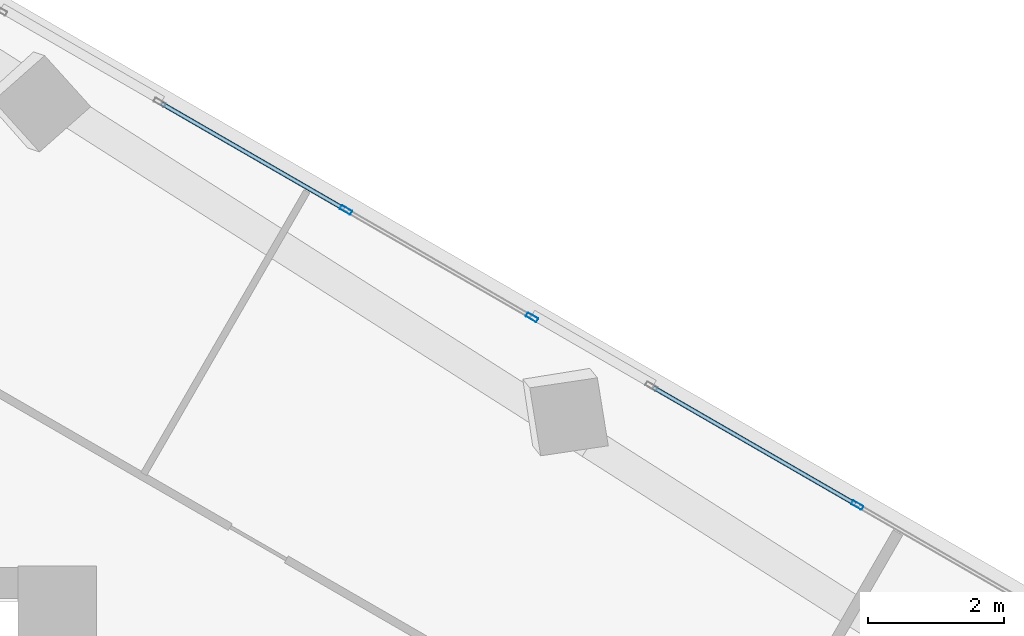
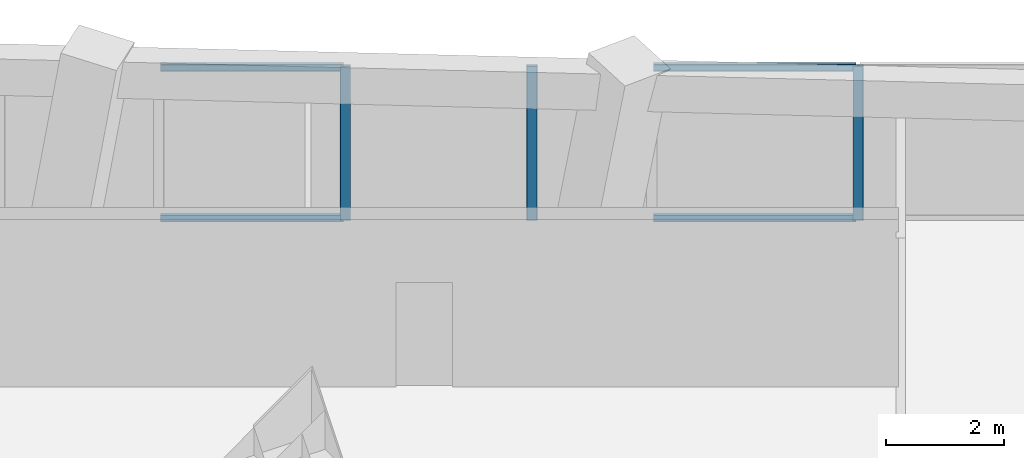
# One storey, part 16 of 22: 7 members, 2 elements without a shape of their own.
"""IFC4 building model written with IfcOpenShell, lengths in metres."""

from ifc_helpers import new_model, si_unit, direction, frame, origin, origin_2d, place, context, subcontext, project, spatial, hollow_rectangle, extrude, source, transform, mapped, material, material_profile, profile_set, type_object, element, aggregate, save


model = new_model("IFC4")

# Units and contexts
model_context = context("Model", 3, precision=1e-05, world=origin(), true_north=direction((0.0, 1.0)))
body_context = subcontext(model_context, "Body", "Model", "MODEL_VIEW")
ifc_project = project(units=[si_unit("LENGTHUNIT", "METRE"), si_unit("AREAUNIT", "SQUARE_METRE"), si_unit("VOLUMEUNIT", "CUBIC_METRE"), si_unit("PLANEANGLEUNIT", "RADIAN"), si_unit("MASSUNIT", "GRAM", prefix="KILO")], contexts=[model_context])

# Site, building, storey
site_placement = place(None, origin())
site = spatial("IfcSite", under=ifc_project, at=site_placement, CompositionType="ELEMENT")
building_placement = place(site_placement, origin())
building = spatial("IfcBuilding", under=site, at=building_placement, Name="Torre Montelarca", CompositionType="ELEMENT")
storey_placement = place(building_placement, frame((0.0, 0.0, 183.39990234375)))
storey = spatial("IfcBuildingStorey", under=building, at=storey_placement, Name="L41", CompositionType="ELEMENT", Elevation=183.39990234375)

# Curtain wall, member
ifc_material_1 = material(Name="Insulated low-E laminated glass", Category="glass")
curtain_wall_type = type_object("IfcCurtainWallType", Name="CW-SYS-Z2", PredefinedType="USERDEFINED", material=ifc_material_1)
curtain_wall_1_placement = place(storey_placement, origin())
curtain_wall_1 = element("IfcCurtainWall", 1, at=curtain_wall_1_placement, inside=storey, type_object=curtain_wall_type, Name="L41 Curtain Wall Run CW-T3-L41-E08-B2", ObjectType="UNITISED GLAZING", PredefinedType="USERDEFINED")
ifc_material_2 = material(Name="Anodised aluminium AA 6063-T6", Category="aluminium")
ifc_material_profile_1 = material_profile(ifc_material_2, hollow_rectangle(XDim=0.06494140625, YDim=0.179931640625, WallThickness=0.00390625, InnerFilletRadius=0.00390625, OuterFilletRadius=0.008056640625, at=origin_2d()), Name="ALU65X180X4", Category="aluminium")
ifc_profile_set_1 = profile_set([ifc_material_profile_1], Name="Anodised aluminium AA 6063-T6")
member_type_1 = type_object("IfcMemberType", Name="CWM-ALU180", PredefinedType="MULLION", material=ifc_profile_set_1)
shared_shape_1 = source(origin(), body_context, "Body", "SweptSolid", [
    extrude(hollow_rectangle(XDim=0.06494140625, YDim=0.179931640625, WallThickness=0.00390625, InnerFilletRadius=0.00390625, OuterFilletRadius=0.008056640625, at=origin_2d()), origin(), (0.0, 0.0, 1.0), 3.175048828125),
])
member_1_placement = place(storey_placement, frame((38.1953125, 40.9169921875, 0.0), z_axis=(0.0, 0.0, 1.0), x_axis=(-0.49999500825, -0.866028285754, 0.0)))
member_1 = element("IfcMember", 2, at=member_1_placement, type_object=member_type_1, Name="CW mullion 2", PredefinedType="MULLION", context=body_context, shape_type="MappedRepresentation", body=[
    mapped(shared_shape_1, transform((0.0, 0.0, 0.0), scale=1.0)),
])

# Curtain wall, members
curtain_wall_2_placement = place(storey_placement, origin())
curtain_wall_2 = element("IfcCurtainWall", 3, at=curtain_wall_2_placement, inside=storey, type_object=curtain_wall_type, Name="L41 Curtain Wall Run CW-T3-L41-E08-B3", ObjectType="UNITISED GLAZING", PredefinedType="USERDEFINED")
member_2_placement = place(storey_placement, frame((33.421142578125, 43.67333984375, 0.0), z_axis=(0.0, 0.0, 1.0), x_axis=(-0.500000323914, -0.866025216772, 0.0)))
member_2 = element("IfcMember", 4, at=member_2_placement, type_object=member_type_1, Name="CW mullion 1", PredefinedType="MULLION", context=body_context, shape_type="MappedRepresentation", body=[
    mapped(shared_shape_1, transform((0.0, 0.0, 0.0), scale=1.0)),
])
member_3_placement = place(storey_placement, frame((30.688720703125, 45.2509765625, 0.0), z_axis=(0.0, 0.0, 1.0), x_axis=(-0.500000323914, -0.866025216772, 0.0)))
member_3 = element("IfcMember", 5, at=member_3_placement, type_object=member_type_1, Name="CW mullion 2", PredefinedType="MULLION", context=body_context, shape_type="MappedRepresentation", body=[
    mapped(shared_shape_1, transform((0.0, 0.0, 0.0), scale=1.0)),
])

# Member
ifc_material_profile_2 = material_profile(ifc_material_2, hollow_rectangle(XDim=0.06494140625, YDim=0.139892578125, WallThickness=0.00390625, InnerFilletRadius=0.00390625, OuterFilletRadius=0.008056640625, at=origin_2d()), Name="ALU65X140X4", Category="aluminium")
ifc_profile_set_2 = profile_set([ifc_material_profile_2], Name="Anodised aluminium AA 6063-T6")
member_type_2 = type_object("IfcMemberType", Name="CWT-ALU140", PredefinedType="USERDEFINED", material=ifc_profile_set_2)
shared_shape_2 = source(origin(), body_context, "Body", "SweptSolid", [
    extrude(hollow_rectangle(XDim=0.06494140625, YDim=0.139892578125, WallThickness=0.00390625, InnerFilletRadius=0.00390625, OuterFilletRadius=0.008056640625, at=origin_2d()), origin(), (0.0, 0.0, 1.0), 3.42236328125),
])
member_4_placement = place(storey_placement, frame((38.1669921875, 40.933349609375, 0.03271484375), z_axis=(-0.866026400529, 0.499998273584, 0.0), x_axis=(-0.499998273584, -0.866026400529, 0.0)))
member_4 = element("IfcMember", 6, at=member_4_placement, type_object=member_type_2, Name="CW transom 2.1", ObjectType="TRANSOM", PredefinedType="USERDEFINED", context=body_context, shape_type="MappedRepresentation", body=[
    mapped(shared_shape_2, transform((0.0, 0.0, 0.0), scale=1.0)),
])

member_5_placement = place(storey_placement, frame((38.1669921875, 40.933349609375, 3.142578125), z_axis=(-0.866026400529, 0.499998273584, 0.0), x_axis=(-0.499998273584, -0.866026400529, 0.0)))
member_5 = element("IfcMember", 7, at=member_5_placement, type_object=member_type_2, Name="CW transom 2.2", ObjectType="TRANSOM", PredefinedType="USERDEFINED", context=body_context, shape_type="MappedRepresentation", body=[
    mapped(shared_shape_2, transform((0.0, 0.0, 0.0), scale=1.0)),
])

aggregate(curtain_wall_1, [member_1, member_4, member_5])

shared_shape_3 = source(origin(), body_context, "Body", "SweptSolid", [
    extrude(hollow_rectangle(XDim=0.06494140625, YDim=0.139892578125, WallThickness=0.00390625, InnerFilletRadius=0.00390625, OuterFilletRadius=0.008056640625, at=origin_2d()), origin(), (0.0, 0.0, 1.0), 3.09033203125),
])
member_6_placement = place(storey_placement, frame((30.660400390625, 45.26708984375, 0.03271484375), z_axis=(-0.865988239976, 0.50006436408, 0.0), x_axis=(-0.50006436408, -0.865988239976, 0.0)))
member_6 = element("IfcMember", 8, at=member_6_placement, type_object=member_type_2, Name="CW transom 2.1", ObjectType="TRANSOM", PredefinedType="USERDEFINED", context=body_context, shape_type="MappedRepresentation", body=[
    mapped(shared_shape_3, transform((0.0, 0.0, 0.0), scale=1.0)),
])

member_7_placement = place(storey_placement, frame((30.660400390625, 45.26708984375, 3.142578125), z_axis=(-0.865988239976, 0.50006436408, 0.0), x_axis=(-0.50006436408, -0.865988239976, 0.0)))
member_7 = element("IfcMember", 9, at=member_7_placement, type_object=member_type_2, Name="CW transom 2.2", ObjectType="TRANSOM", PredefinedType="USERDEFINED", context=body_context, shape_type="MappedRepresentation", body=[
    mapped(shared_shape_3, transform((0.0, 0.0, 0.0), scale=1.0)),
])

aggregate(curtain_wall_2, [member_2, member_3, member_6, member_7])

save(model, "model.ifc")
